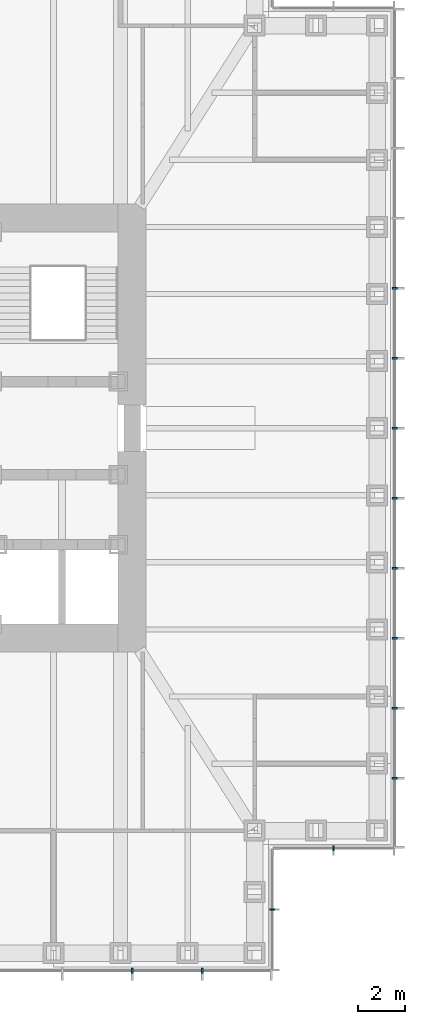
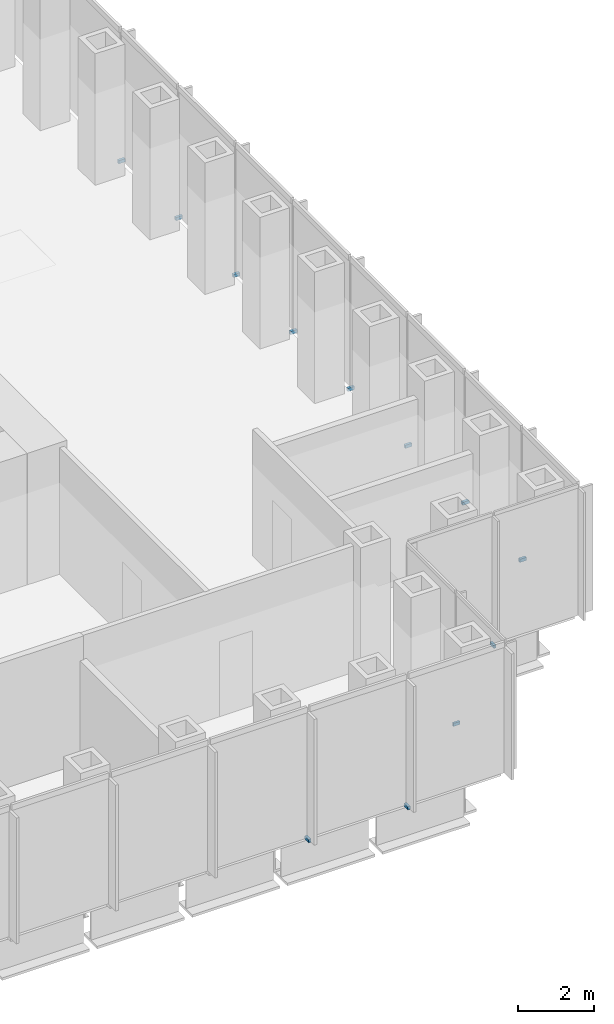
# One storey, part 14 of 17: 12 discrete accessories.
"""IFC4 building model written with IfcOpenShell, lengths in metres."""

import ifcopenshell
import ifcopenshell.guid

model = None  # the IFC model being written
_history = None  # IfcOwnerHistory: only IFC2X3 demands one
_inside = {}  # id of a spatial element -> (the spatial element, [elements in it])
_under = {}  # id of a project, library or spatial element -> (it, [spatial elements below it])
_declared = {}  # id of a project -> (the project, [libraries it declares])
_typed = {}  # id of a type object -> (the type object, [elements of that type])
_made_of = {}  # id of a material, layer set ... -> (it, [elements and type objects made of it])


def new_model(schema):
    """Start an empty IFC model of exactly this schema.

    Asked for "IFC4X3", IfcOpenShell would pick the latest addendum, in which some entities
    have other attributes; the version numbers below select the first issue.
    IFC2X3 requires an IfcOwnerHistory on every rooted entity: one is made here for all.
    """
    global model, _history
    if schema == "IFC4X3":
        model = ifcopenshell.file(schema_version=(4, 3, 0, 0))
    else:
        model = ifcopenshell.file(schema=schema)
    _inside.clear()
    _under.clear()
    _declared.clear()
    _typed.clear()
    _made_of.clear()
    _history = None
    if model.schema == "IFC2X3":
        org = make("IfcOrganization", Name="unknown")
        user = make(
            "IfcPersonAndOrganization",
            ThePerson=make("IfcPerson", FamilyName="unknown"),
            TheOrganization=org,
        )
        app = make(
            "IfcApplication",
            ApplicationDeveloper=org,
            Version="unknown",
            ApplicationFullName="unknown",
            ApplicationIdentifier="unknown",
        )
        _history = make(
            "IfcOwnerHistory",
            OwningUser=user,
            OwningApplication=app,
            ChangeAction="ADDED",
            CreationDate=0,
        )
    return model


def make(cls, **values):
    """One entity of the class cls with the attributes given. An attribute that is None is left unset."""
    return model.create_entity(
        cls, **{name: value for name, value in values.items() if value is not None}
    )


def rooted(cls, **values):
    """An entity with a GlobalId (a new one), such as an element, a storey or a relation."""
    return make(cls, GlobalId=ifcopenshell.guid.new(), OwnerHistory=_history, **values)


def si_unit(unit_type, name, prefix=None):
    """IfcSIUnit, for example si_unit("LENGTHUNIT", "METRE", prefix="MILLI")."""
    return make("IfcSIUnit", UnitType=unit_type, Prefix=prefix, Name=name)


def assignment(units):
    """IfcUnitAssignment: the units of a project."""
    return None if units is None else make("IfcUnitAssignment", Units=units)


def point(xyz):
    """IfcCartesianPoint."""
    return None if xyz is None else make("IfcCartesianPoint", Coordinates=xyz)


def direction(xyz):
    """IfcDirection."""
    return None if xyz is None else make("IfcDirection", DirectionRatios=xyz)


def frame(location, z_axis=None, x_axis=None):
    """IfcAxis2Placement3D, a coordinate frame: its origin and axes. An axis left out is left unset."""
    return make(
        "IfcAxis2Placement3D",
        Location=point(location),
        Axis=direction(z_axis),
        RefDirection=direction(x_axis),
    )


def frame_2d(location, x_axis=None):
    """IfcAxis2Placement2D, a coordinate frame in the plane: its origin and x axis."""
    return make(
        "IfcAxis2Placement2D", Location=point(location), RefDirection=direction(x_axis)
    )


def origin():
    """The frame at (0, 0, 0) with its axes left unset."""
    return frame((0.0, 0.0, 0.0))


def origin_2d():
    """The frame at (0, 0) in the plane with its x axis left unset."""
    return frame_2d((0.0, 0.0))


def place(relative_to, where):
    """IfcLocalPlacement: puts the frame where relative to a parent placement (None: the world)."""
    return make(
        "IfcLocalPlacement", PlacementRelTo=relative_to, RelativePlacement=where
    )


def context(
    kind, dimensions, precision=None, world=None, true_north=None, identifier=None
):
    """IfcGeometricRepresentationContext, for example the 3D "Model" context."""
    return make(
        "IfcGeometricRepresentationContext",
        ContextIdentifier=identifier,
        ContextType=kind,
        CoordinateSpaceDimension=dimensions,
        Precision=precision,
        WorldCoordinateSystem=world,
        TrueNorth=true_north,
    )


def subcontext(parent, identifier, kind, view, scale=None):
    """IfcGeometricRepresentationSubContext, for example "Body" below "Model"."""
    return make(
        "IfcGeometricRepresentationSubContext",
        ContextIdentifier=identifier,
        ContextType=kind,
        ParentContext=parent,
        TargetScale=scale,
        TargetView=view,
    )


def project(units=None, contexts=None):
    """IfcProject with its units and contexts."""
    return rooted(
        "IfcProject",
        Name="project",
        RepresentationContexts=contexts,
        UnitsInContext=assignment(units),
    )


def spatial(cls, under=None, at=None, **own):
    """A site, building, storey or space (cls), placed at a placement, below another one or the project."""
    s = rooted(cls, ObjectPlacement=at, **own)
    if under is not None:
        _under.setdefault(under.id(), (under, []))[1].append(s)
    return s


def profile(cls, at=None, kind="AREA", **sizes):
    """A parametric profile (cls). Its sizes go by their IFC names, for example OverallWidth=200.0."""
    return make(cls, ProfileType=kind, Position=at, **sizes)


def rectangle(**sizes):
    """IfcRectangleProfileDef."""
    return profile("IfcRectangleProfileDef", **sizes)


def extrude(swept, where, along, depth):
    """IfcExtrudedAreaSolid: the profile swept, set in the frame where, extruded along a direction by depth."""
    return make(
        "IfcExtrudedAreaSolid",
        SweptArea=swept,
        Position=where,
        ExtrudedDirection=direction(along),
        Depth=depth,
    )


def shape(context_of_items, identifier, shape_type, items):
    """IfcShapeRepresentation: the items that make up one representation, for example the "Body"."""
    return make(
        "IfcShapeRepresentation",
        ContextOfItems=context_of_items,
        RepresentationIdentifier=identifier,
        RepresentationType=shape_type,
        Items=items,
    )


def made_of(thing, what):
    """Note that an element or type object is made of a material, layer set ...; save() writes the relation."""
    if what is not None:
        _made_of.setdefault(what.id(), (what, []))[1].append(thing)
    return thing


def element(
    cls,
    number,
    at=None,
    inside=None,
    cuts=None,
    type_object=None,
    material=None,
    context=None,
    identifier="Body",
    shape_type=None,
    held_by="IfcProductDefinitionShape",
    body=None,
    shapes=None,
    **own,
):
    """One element of the class cls, such as IfcWall. Its Tag is "e" and its number.

    at: its placement. inside: the storey or other place that contains it. cuts: it is an
    opening in that element (IfcRelVoidsElement). A single representation is given by context,
    identifier, shape_type and body (its items); several are given by shapes. held_by: the class
    of the entity that holds the representations. save() writes the other relations.
    """
    e = rooted(cls, Tag="e%d" % number, ObjectPlacement=at, **own)
    if body is not None:
        shapes = [shape(context, identifier, shape_type, body)]
    if shapes is not None:
        e.Representation = make(held_by, Representations=shapes)
    if inside is not None:
        _inside.setdefault(inside.id(), (inside, []))[1].append(e)
    if cuts is not None:
        rooted(
            "IfcRelVoidsElement", RelatingBuildingElement=cuts, RelatedOpeningElement=e
        )
    if type_object is not None:
        _typed.setdefault(type_object.id(), (type_object, []))[1].append(e)
    return made_of(e, material)


def aggregate(whole, parts):
    """IfcRelAggregates: a whole, such as a stair, and the parts it consists of."""
    return rooted("IfcRelAggregates", RelatingObject=whole, RelatedObjects=parts)


def save(model, path):
    """Write the relations noted so far, then the file.

    IfcRelAggregates (storeys below a building ...), IfcRelContainedInSpatialStructure (elements
    in a storey), IfcRelDefinesByType, IfcRelAssociatesMaterial and IfcRelDeclares: one each for
    every whole, place, type object, material and project.
    """
    for whole, parts in _under.values():
        aggregate(whole, parts)
    for where, things in _inside.values():
        rooted(
            "IfcRelContainedInSpatialStructure",
            RelatedElements=things,
            RelatingStructure=where,
        )
    for kind, things in _typed.values():
        rooted("IfcRelDefinesByType", RelatedObjects=things, RelatingType=kind)
    for what, things in _made_of.values():
        rooted("IfcRelAssociatesMaterial", RelatedObjects=things, RelatingMaterial=what)
    for by, libraries in _declared.values():
        rooted("IfcRelDeclares", RelatingContext=by, RelatedDefinitions=libraries)
    model.write(path)


model = new_model("IFC4")

# Units and contexts
model_context = context("Model", 3, precision=1e-05, world=origin(), true_north=direction((0.0, 1.0)))
body_context = subcontext(model_context, "Body", "Model", "MODEL_VIEW")
ifc_project = project(units=[si_unit("LENGTHUNIT", "METRE"), si_unit("AREAUNIT", "SQUARE_METRE"), si_unit("VOLUMEUNIT", "CUBIC_METRE"), si_unit("PLANEANGLEUNIT", "RADIAN"), si_unit("MASSUNIT", "GRAM", prefix="KILO")], contexts=[model_context])

# Site, building, storey
site_placement = place(None, origin())
site = spatial("IfcSite", under=ifc_project, at=site_placement, CompositionType="ELEMENT")
building_placement = place(site_placement, origin())
building = spatial("IfcBuilding", under=site, at=building_placement, Name="Daluyong Arena Tower", CompositionType="ELEMENT")
storey_placement = place(building_placement, frame((0.0, 0.0, 129.10009765625)))
storey = spatial("IfcBuildingStorey", under=building, at=storey_placement, Name="L28", CompositionType="ELEMENT", Elevation=129.10009765625)

# Discrete accessories
for number, where, z_axis, x_axis, name in (
    (1, (68.0, 56.75, -0.10009765625), (0.0, 0.0, 1.0), (1.0, 0.0, 0.0), "curtain wall L28 S anchor bracket 11"),
    (2, (71.0, 56.75, -0.10009765625), (0.0, 0.0, 1.0), (1.0, 0.0, 0.0), "curtain wall L28 S anchor bracket 12"),
):
    element("IfcDiscreteAccessory", number, at=place(storey_placement, frame(where, z_axis=z_axis, x_axis=x_axis)), inside=storey, Name=name, PredefinedType="BRACKET", context=body_context, shape_type="SweptSolid", body=[
        extrude(rectangle(XDim=0.080078125, YDim=0.199951171875, at=origin_2d()), origin(), (0.0, 0.0, 1.0), 0.10009765625),
    ])
for number, where, z_axis, x_axis, name in (
    (3, (74.0, 59.375, -0.10009765625), (0.0, 0.0, 1.0), (0.0, 1.0, 0.0), "curtain wall L28 SE-E anchor bracket 2"),
    (4, (76.625, 62.0, -0.10009765625), (0.0, 0.0, 1.0), (1.0, 0.0, 0.0), "curtain wall L28 SE-S anchor bracket 2"),
):
    element("IfcDiscreteAccessory", number, at=place(storey_placement, frame(where, z_axis=z_axis, x_axis=x_axis)), inside=storey, Name=name, PredefinedType="BRACKET", context=body_context, shape_type="SweptSolid", body=[
        extrude(rectangle(XDim=0.06005859375, YDim=0.199951171875, at=origin_2d()), origin(), (0.0, 0.0, 1.0), 0.10009765625),
    ])
for number, where, z_axis, x_axis, name in (
    (5, (79.25, 65.0, -0.10009765625), (0.0, 0.0, 1.0), (0.0, 1.0, 0.0), "curtain wall L28 E anchor bracket 2"),
    (6, (79.25, 68.0, -0.10009765625), (0.0, 0.0, 1.0), (0.0, 1.0, 0.0), "curtain wall L28 E anchor bracket 3"),
    (7, (79.25, 71.0, -0.10009765625), (0.0, 0.0, 1.0), (0.0, 1.0, 0.0), "curtain wall L28 E anchor bracket 4"),
    (8, (79.25, 74.0, -0.10009765625), (0.0, 0.0, 1.0), (0.0, 1.0, 0.0), "curtain wall L28 E anchor bracket 5"),
    (9, (79.25, 77.0, -0.10009765625), (0.0, 0.0, 1.0), (0.0, 1.0, 0.0), "curtain wall L28 E anchor bracket 6"),
    (10, (79.25, 80.0, -0.10009765625), (0.0, 0.0, 1.0), (0.0, 1.0, 0.0), "curtain wall L28 E anchor bracket 7"),
    (11, (79.25, 83.0, -0.10009765625), (0.0, 0.0, 1.0), (0.0, 1.0, 0.0), "curtain wall L28 E anchor bracket 8"),
    (12, (79.25, 86.0, -0.10009765625), (0.0, 0.0, 1.0), (0.0, 1.0, 0.0), "curtain wall L28 E anchor bracket 9"),
):
    element("IfcDiscreteAccessory", number, at=place(storey_placement, frame(where, z_axis=z_axis, x_axis=x_axis)), inside=storey, Name=name, PredefinedType="BRACKET", context=body_context, shape_type="SweptSolid", body=[
        extrude(rectangle(XDim=0.080078125, YDim=0.199951171875, at=origin_2d()), origin(), (0.0, 0.0, 1.0), 0.10009765625),
    ])

save(model, "model.ifc")
